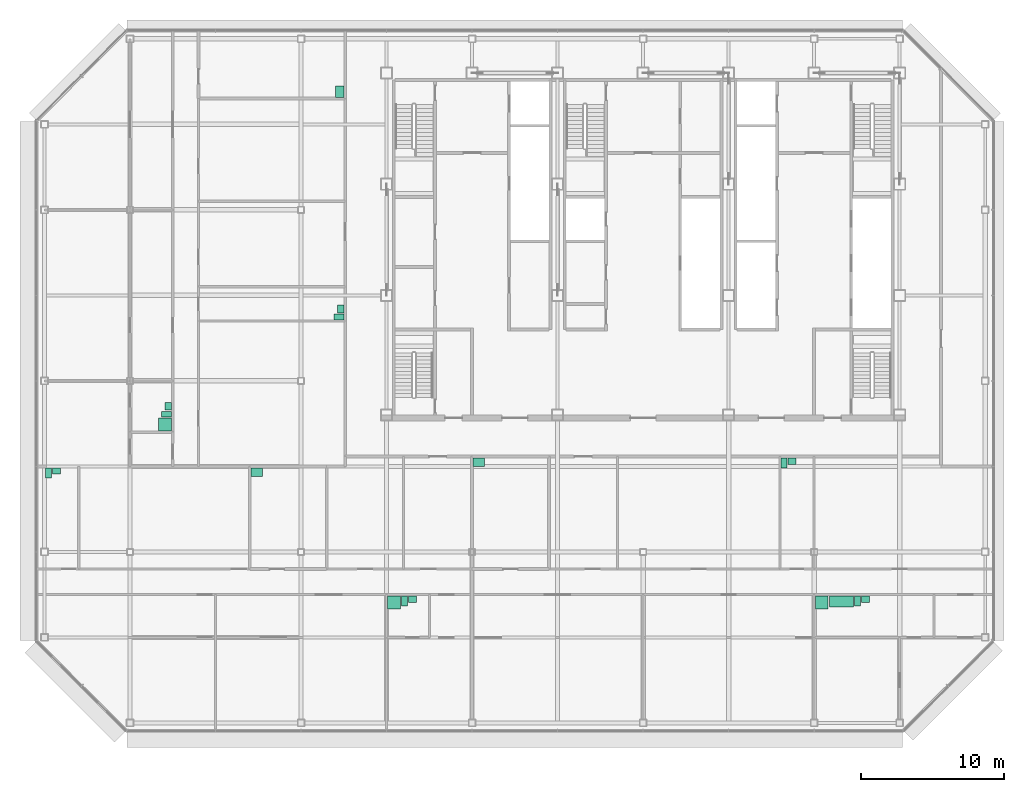
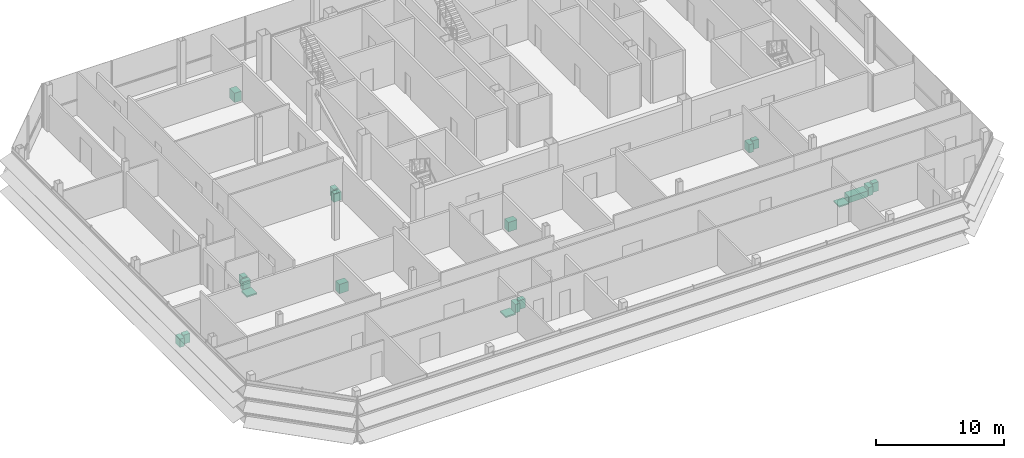
# One storey, part 29 of 29: 19 sanitary terminals.
"""IFC4 building model written with IfcOpenShell, lengths in metres."""

from ifc_helpers import new_model, si_unit, direction, frame, origin, origin_2d, place, context, subcontext, project, spatial, rectangle, extrude, element, save


model = new_model("IFC4")

# Units and contexts
model_context = context("Model", 3, precision=1e-05, world=origin(), true_north=direction((0.0, 1.0)))
body_context = subcontext(model_context, "Body", "Model", "MODEL_VIEW")
ifc_project = project(units=[si_unit("LENGTHUNIT", "METRE"), si_unit("AREAUNIT", "SQUARE_METRE"), si_unit("VOLUMEUNIT", "CUBIC_METRE"), si_unit("PLANEANGLEUNIT", "RADIAN"), si_unit("MASSUNIT", "GRAM", prefix="KILO")], contexts=[model_context])

# Site, building, storey
site_placement = place(None, origin())
site = spatial("IfcSite", under=ifc_project, at=site_placement, CompositionType="ELEMENT")
building_placement = place(site_placement, origin())
building = spatial("IfcBuilding", under=site, at=building_placement, Name="Sorahane Residences", CompositionType="ELEMENT")
storey_placement = place(building_placement, frame((0.0, 0.0, 326.800048828125)))
storey = spatial("IfcBuildingStorey", under=building, at=storey_placement, Name="L78", CompositionType="ELEMENT", Elevation=326.800048828125)

# Sanitary terminals
sanitary_terminal_1_placement = place(storey_placement, frame((6.530029296875, 8.449951171875, 0.0), z_axis=(0.0, 0.0, 1.0), x_axis=(1.0, 0.0, 0.0)))
element("IfcSanitaryTerminal", 1, at=sanitary_terminal_1_placement, inside=storey, Name="Shower tray En-suite bathroom 78A", PredefinedType="SHOWER", context=body_context, shape_type="SweptSolid", body=[
    extrude(rectangle(XDim=0.89990234375, YDim=0.89990234375, at=origin_2d()), origin(), (0.0, 0.0, 1.0), 0.1201171875),
])
sanitary_terminal_2_placement = place(storey_placement, frame((7.260009765625, 8.550048828125, 0.0), z_axis=(0.0, 0.0, 1.0), x_axis=(1.0, 0.0, 0.0)))
element("IfcSanitaryTerminal", 2, at=sanitary_terminal_2_placement, inside=storey, Name="WC pan En-suite bathroom 78A", PredefinedType="TOILETPAN", context=body_context, shape_type="SweptSolid", body=[
    extrude(rectangle(XDim=0.39990234375, YDim=0.699951171875, at=origin_2d()), origin(), (0.0, 0.0, 1.0), 0.800048828125),
])
sanitary_terminal_3_placement = place(storey_placement, frame((7.81494140625, 8.675048828125, 0.0), z_axis=(0.0, 0.0, 1.0), x_axis=(1.0, 0.0, 0.0)))
element("IfcSanitaryTerminal", 3, at=sanitary_terminal_3_placement, inside=storey, Name="Wash basin En-suite bathroom 78A", PredefinedType="WASHHANDBASIN", context=body_context, shape_type="SweptSolid", body=[
    extrude(rectangle(XDim=0.550048828125, YDim=0.449951171875, at=origin_2d()), origin(), (0.0, 0.0, 1.0), 0.85009765625),
])
sanitary_terminal_4_placement = place(storey_placement, frame((-17.719970703125, 17.550048828125, 0.0), z_axis=(0.0, 0.0, 1.0), x_axis=(1.0, 0.0, 0.0)))
element("IfcSanitaryTerminal", 4, at=sanitary_terminal_4_placement, inside=storey, Name="WC pan Guest WC 78A", PredefinedType="TOILETPAN", context=body_context, shape_type="SweptSolid", body=[
    extrude(rectangle(XDim=0.39990234375, YDim=0.699951171875, at=origin_2d()), origin(), (0.0, 0.0, 1.0), 0.800048828125),
])
sanitary_terminal_5_placement = place(storey_placement, frame((-17.1650390625, 17.675048828125, 0.0), z_axis=(0.0, 0.0, 1.0), x_axis=(1.0, 0.0, 0.0)))
element("IfcSanitaryTerminal", 5, at=sanitary_terminal_5_placement, inside=storey, Name="Wash basin Guest WC 78A", PredefinedType="WASHHANDBASIN", context=body_context, shape_type="SweptSolid", body=[
    extrude(rectangle(XDim=0.550048828125, YDim=0.449951171875, at=origin_2d()), origin(), (0.0, 0.0, 1.0), 0.85009765625),
])
sanitary_terminal_6_placement = place(storey_placement, frame((-3.1201171875, 17.60009765625, 0.0), z_axis=(0.0, 0.0, 1.0), x_axis=(1.0, 0.0, 0.0)))
element("IfcSanitaryTerminal", 6, at=sanitary_terminal_6_placement, inside=storey, Name="Kitchen sink Kitchen 78A", PredefinedType="SINK", context=body_context, shape_type="SweptSolid", body=[
    extrude(rectangle(XDim=0.800048828125, YDim=0.60009765625, at=origin_2d()), origin(), (0.0, 0.0, 1.0), 0.89990234375),
])
sanitary_terminal_7_placement = place(storey_placement, frame((36.530029296875, 8.449951171875, 0.0), z_axis=(0.0, 0.0, 1.0), x_axis=(1.0, 0.0, 0.0)))
element("IfcSanitaryTerminal", 7, at=sanitary_terminal_7_placement, inside=storey, Name="Shower tray En-suite bathroom 78B", PredefinedType="SHOWER", context=body_context, shape_type="SweptSolid", body=[
    extrude(rectangle(XDim=0.89990234375, YDim=0.89990234375, at=origin_2d()), origin(), (0.0, 0.0, 1.0), 0.1201171875),
])
sanitary_terminal_8_placement = place(storey_placement, frame((37.909912109375, 8.52490234375, 0.0), z_axis=(0.0, 0.0, 1.0), x_axis=(1.0, 0.0, 0.0)))
element("IfcSanitaryTerminal", 8, at=sanitary_terminal_8_placement, inside=storey, Name="Bath En-suite bathroom 78B", PredefinedType="BATH", context=body_context, shape_type="SweptSolid", body=[
    extrude(rectangle(XDim=1.699951171875, YDim=0.75, at=origin_2d()), origin(), (0.0, 0.0, 1.0), 0.56005859375),
])
sanitary_terminal_9_placement = place(storey_placement, frame((39.0400390625, 8.550048828125, 0.0), z_axis=(0.0, 0.0, 1.0), x_axis=(1.0, 0.0, 0.0)))
element("IfcSanitaryTerminal", 9, at=sanitary_terminal_9_placement, inside=storey, Name="WC pan En-suite bathroom 78B", PredefinedType="TOILETPAN", context=body_context, shape_type="SweptSolid", body=[
    extrude(rectangle(XDim=0.39990234375, YDim=0.699951171875, at=origin_2d()), origin(), (0.0, 0.0, 1.0), 0.800048828125),
])
sanitary_terminal_10_placement = place(storey_placement, frame((39.594970703125, 8.675048828125, 0.0), z_axis=(0.0, 0.0, 1.0), x_axis=(1.0, 0.0, 0.0)))
element("IfcSanitaryTerminal", 10, at=sanitary_terminal_10_placement, inside=storey, Name="Wash basin En-suite bathroom 78B", PredefinedType="WASHHANDBASIN", context=body_context, shape_type="SweptSolid", body=[
    extrude(rectangle(XDim=0.550048828125, YDim=0.449951171875, at=origin_2d()), origin(), (0.0, 0.0, 1.0), 0.85009765625),
])
sanitary_terminal_11_placement = place(storey_placement, frame((12.47998046875, 18.300048828125, 0.0), z_axis=(0.0, 0.0, 1.0), x_axis=(1.0, 0.0, 0.0)))
element("IfcSanitaryTerminal", 11, at=sanitary_terminal_11_placement, inside=storey, Name="Kitchen sink Kitchen 78B", PredefinedType="SINK", context=body_context, shape_type="SweptSolid", body=[
    extrude(rectangle(XDim=0.800048828125, YDim=0.60009765625, at=origin_2d()), origin(), (0.0, 0.0, 1.0), 0.89990234375),
])
sanitary_terminal_12_placement = place(storey_placement, frame((33.8798828125, 18.25, 0.0), z_axis=(0.0, 0.0, 1.0), x_axis=(1.0, 0.0, 0.0)))
element("IfcSanitaryTerminal", 12, at=sanitary_terminal_12_placement, inside=storey, Name="WC pan Guest WC 78B", PredefinedType="TOILETPAN", context=body_context, shape_type="SweptSolid", body=[
    extrude(rectangle(XDim=0.39990234375, YDim=0.699951171875, at=origin_2d()), origin(), (0.0, 0.0, 1.0), 0.800048828125),
])
sanitary_terminal_13_placement = place(storey_placement, frame((34.43505859375, 18.375, 0.0), z_axis=(0.0, 0.0, 1.0), x_axis=(1.0, 0.0, 0.0)))
element("IfcSanitaryTerminal", 13, at=sanitary_terminal_13_placement, inside=storey, Name="Wash basin Guest WC 78B", PredefinedType="WASHHANDBASIN", context=body_context, shape_type="SweptSolid", body=[
    extrude(rectangle(XDim=0.550048828125, YDim=0.449951171875, at=origin_2d()), origin(), (0.0, 0.0, 1.0), 0.85009765625),
])
sanitary_terminal_14_placement = place(storey_placement, frame((-9.550048828125, 20.929931640625, 0.0), z_axis=(0.0, 0.0, 1.0), x_axis=(0.0, -1.0, 0.0)))
element("IfcSanitaryTerminal", 14, at=sanitary_terminal_14_placement, inside=storey, Name="Shower tray En-suite bathroom 78C", PredefinedType="SHOWER", context=body_context, shape_type="SweptSolid", body=[
    extrude(rectangle(XDim=0.89990234375, YDim=0.89990234375, at=origin_2d()), origin(), (0.0, 0.0, 1.0), 0.1201171875),
])
sanitary_terminal_15_placement = place(storey_placement, frame((-9.449951171875, 21.659912109375, 0.0), z_axis=(0.0, 0.0, 1.0), x_axis=(0.0, -1.0, 0.0)))
element("IfcSanitaryTerminal", 15, at=sanitary_terminal_15_placement, inside=storey, Name="WC pan En-suite bathroom 78C", PredefinedType="TOILETPAN", context=body_context, shape_type="SweptSolid", body=[
    extrude(rectangle(XDim=0.39990234375, YDim=0.699951171875, at=origin_2d()), origin(), (0.0, 0.0, 1.0), 0.800048828125),
])
sanitary_terminal_16_placement = place(storey_placement, frame((-9.324951171875, 22.215087890625, 0.0), z_axis=(0.0, 0.0, 1.0), x_axis=(0.0, -1.0, 0.0)))
element("IfcSanitaryTerminal", 16, at=sanitary_terminal_16_placement, inside=storey, Name="Wash basin En-suite bathroom 78C", PredefinedType="WASHHANDBASIN", context=body_context, shape_type="SweptSolid", body=[
    extrude(rectangle(XDim=0.550048828125, YDim=0.449951171875, at=origin_2d()), origin(), (0.0, 0.0, 1.0), 0.85009765625),
])
sanitary_terminal_17_placement = place(storey_placement, frame((2.64990234375, 28.47998046875, 0.0), z_axis=(0.0, 0.0, 1.0), x_axis=(0.0, -1.0, 0.0)))
element("IfcSanitaryTerminal", 17, at=sanitary_terminal_17_placement, inside=storey, Name="WC pan Guest WC 78C", PredefinedType="TOILETPAN", context=body_context, shape_type="SweptSolid", body=[
    extrude(rectangle(XDim=0.39990234375, YDim=0.699951171875, at=origin_2d()), origin(), (0.0, 0.0, 1.0), 0.800048828125),
])
sanitary_terminal_18_placement = place(storey_placement, frame((2.77490234375, 29.034912109375, 0.0), z_axis=(0.0, 0.0, 1.0), x_axis=(0.0, -1.0, 0.0)))
element("IfcSanitaryTerminal", 18, at=sanitary_terminal_18_placement, inside=storey, Name="Wash basin Guest WC 78C", PredefinedType="WASHHANDBASIN", context=body_context, shape_type="SweptSolid", body=[
    extrude(rectangle(XDim=0.550048828125, YDim=0.449951171875, at=origin_2d()), origin(), (0.0, 0.0, 1.0), 0.85009765625),
])
sanitary_terminal_19_placement = place(storey_placement, frame((2.699951171875, 44.280029296875, 0.0), z_axis=(0.0, 0.0, 1.0), x_axis=(0.0, -1.0, 0.0)))
element("IfcSanitaryTerminal", 19, at=sanitary_terminal_19_placement, inside=storey, Name="Kitchen sink Kitchen 78C", PredefinedType="SINK", context=body_context, shape_type="SweptSolid", body=[
    extrude(rectangle(XDim=0.800048828125, YDim=0.60009765625, at=origin_2d()), origin(), (0.0, 0.0, 1.0), 0.89990234375),
])

save(model, "model.ifc")
